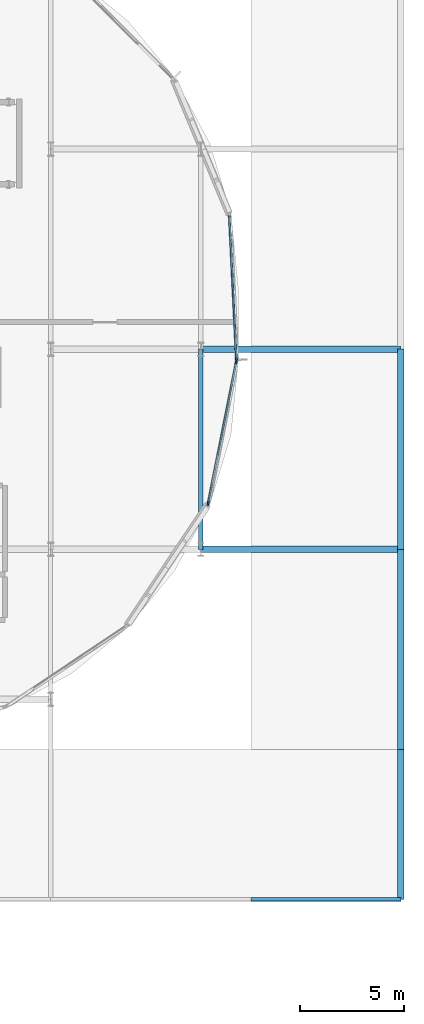
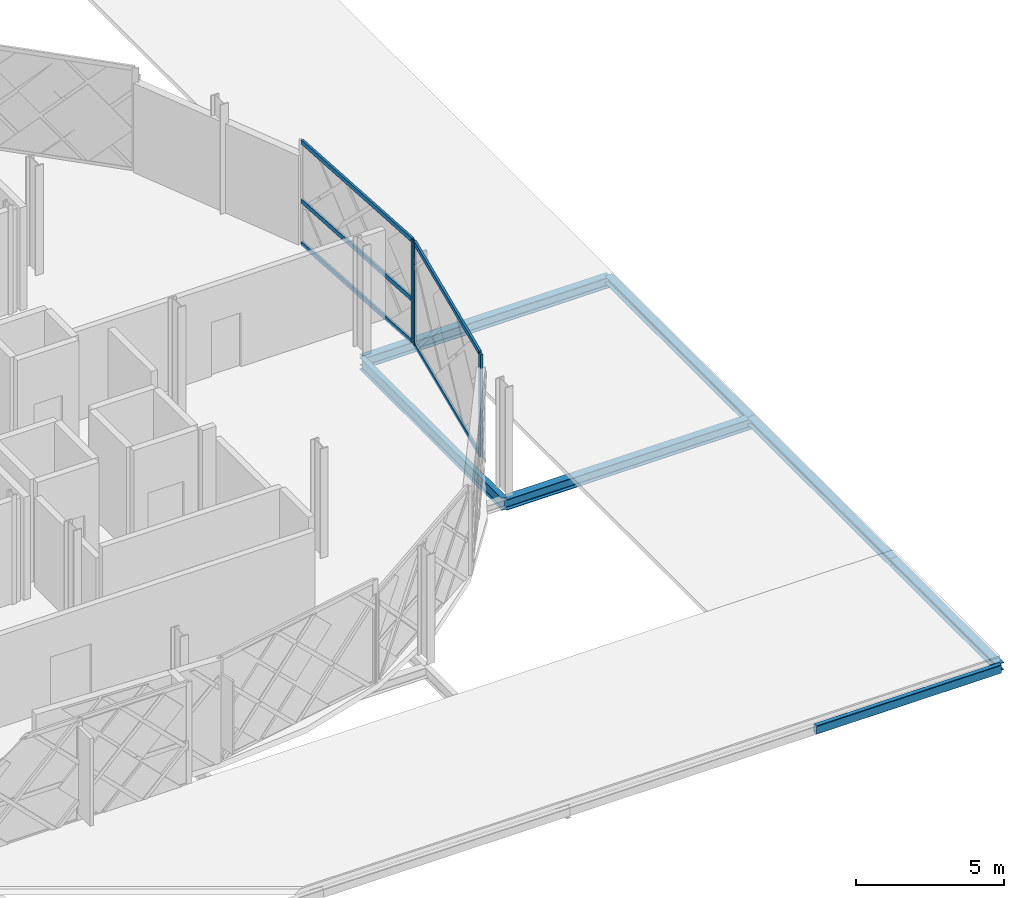
# One storey, part 52 of 101: 8 members, 7 beams, 2 elements without a shape of their own.
"""IFC4 building model written with IfcOpenShell, lengths in metres."""

from ifc_helpers import new_model, si_unit, direction, frame, origin, origin_2d, place, context, subcontext, project, spatial, rectangle, hollow_rectangle, i_section, extrude, material, layer, layer_set, material_profile, profile_set, type_object, element, aggregate, save


model = new_model("IFC4")

# Units and contexts
model_context = context("Model", 3, precision=1e-05, world=origin(), true_north=direction((0.0, 1.0)))
body_context = subcontext(model_context, "Body", "Model", "MODEL_VIEW")
ifc_project = project(units=[si_unit("LENGTHUNIT", "METRE"), si_unit("AREAUNIT", "SQUARE_METRE"), si_unit("VOLUMEUNIT", "CUBIC_METRE"), si_unit("PLANEANGLEUNIT", "RADIAN"), si_unit("MASSUNIT", "GRAM", prefix="KILO")], contexts=[model_context])

# Site, building, storey
site_placement = place(None, origin())
site = spatial("IfcSite", under=ifc_project, at=site_placement, CompositionType="ELEMENT")
building_placement = place(site_placement, origin())
building = spatial("IfcBuilding", under=site, at=building_placement, Name="Zevrakil Square Congress Hotel", CompositionType="ELEMENT")
storey_placement = place(building_placement, frame((0.0, 0.0, 5.39990234375)))
storey = spatial("IfcBuildingStorey", under=building, at=storey_placement, Name="L02", CompositionType="ELEMENT", Elevation=5.39990234375)

# Beams
ifc_material_1 = material(Name="Steel S355", Category="steel")
ifc_material_profile_1 = material_profile(ifc_material_1, i_section(OverallWidth=0.300048828125, OverallDepth=0.43994140625, WebThickness=0.011474609375, FlangeThickness=0.02099609375, FilletRadius=0.027099609375, at=origin_2d()), Name="HEA 450")
ifc_profile_set_1 = profile_set([ifc_material_profile_1], Name="Steel S355")
beam_type_1 = type_object("IfcBeamType", Name="BM-HEA450", PredefinedType="BEAM", material=ifc_profile_set_1)
for number, where, z_axis, x_axis, name in (
    (1, (163.199951171875, 16.800048828125, -0.47998046875), (1.0, 0.0, 0.0), (0.0, 1.0, 0.0), "L02 primary girder BX-0706"),
    (2, (163.199951171875, 26.39990234375, -0.47998046875), (1.0, 0.0, 0.0), (0.0, 1.0, 0.0), "L02 primary girder BX-0717"),
):
    element("IfcBeam", number, at=place(storey_placement, frame(where, z_axis=z_axis, x_axis=x_axis)), inside=storey, type_object=beam_type_1, Name=name, PredefinedType="BEAM", context=body_context, shape_type="SweptSolid", body=[
        extrude(i_section(OverallWidth=0.300048828125, OverallDepth=0.43994140625, WebThickness=0.011474609375, FlangeThickness=0.02099609375, FilletRadius=0.027099609375, at=origin_2d()), origin(), (0.0, 0.0, 1.0), 9.60009765625),
    ])
ifc_material_2 = material(Name="Steel S355", Category="steel")
ifc_material_profile_2 = material_profile(ifc_material_2, i_section(OverallWidth=0.199951171875, OverallDepth=0.5, WebThickness=0.01025390625, FlangeThickness=0.01611328125, FilletRadius=0.02099609375, at=origin_2d()), Name="IPE 500")
ifc_profile_set_2 = profile_set([ifc_material_profile_2], Name="Steel S355")
beam_type_2 = type_object("IfcBeamType", Name="BM-IPE500", PredefinedType="BEAM", material=ifc_profile_set_2)
beam_1_placement = place(storey_placement, frame((163.199951171875, 16.800048828125, -0.510009765625), z_axis=(0.0, 1.0, 0.0), x_axis=(-1.0, 0.0, 0.0)))
element("IfcBeam", 3, at=beam_1_placement, inside=storey, type_object=beam_type_2, Name="L02 primary girder BY-0949", PredefinedType="BEAM", context=body_context, shape_type="SweptSolid", body=[
    extrude(i_section(OverallWidth=0.199951171875, OverallDepth=0.5, WebThickness=0.01025390625, FlangeThickness=0.01611328125, FilletRadius=0.02099609375, at=origin_2d()), origin(), (0.0, 0.0, 1.0), 9.599853515625),
])

# Curtain wall, members
ifc_material_3 = material(Name="Aluminium Anodised Bronze", Category="aluminium")
ifc_layer = layer(ifc_material_3, 0.179931640625)
ifc_layer_set = layer_set([ifc_layer], Name="Aluminium Anodised Bronze")
curtain_wall_type = type_object("IfcCurtainWallType", Name="CW-L02-720", PredefinedType="USERDEFINED", material=ifc_layer_set)
curtain_wall_1_placement = place(storey_placement, origin())
curtain_wall_1 = element("IfcCurtainWall", 4, at=curtain_wall_1_placement, inside=storey, type_object=curtain_wall_type, Name="L02 diamond curtain wall CW-L02-0155", ObjectType="GLAZED CURTAIN WALL", PredefinedType="USERDEFINED")
ifc_material_4 = material(Name="Aluminium Anodised Bronze", Category="aluminium")
ifc_material_profile_3 = material_profile(ifc_material_4, rectangle(XDim=0.0849609375, YDim=0.179931640625, at=origin_2d()), Name="ALU 85x180")
ifc_profile_set_3 = profile_set([ifc_material_profile_3], Name="Aluminium Anodised Bronze")
member_type_1 = type_object("IfcMemberType", Name="CWM-ALU85x180", PredefinedType="USERDEFINED", material=ifc_profile_set_3)
member_1_placement = place(storey_placement, frame((163.554931640625, 19.03271484375, 0.030029296875), z_axis=(0.195079615704, 0.98078740996, 0.0), x_axis=(-0.98078740996, 0.195079615704, 0.0)))
member_1 = element("IfcMember", 5, at=member_1_placement, type_object=member_type_1, Name="CW-22 transom 1.1", ObjectType="TRANSOM", PredefinedType="USERDEFINED", context=body_context, shape_type="SweptSolid", body=[
    extrude(rectangle(XDim=0.0849609375, YDim=0.179931640625, at=origin_2d()), origin(), (0.0, 0.0, 1.0), 6.8857421875),
])
member_2_placement = place(storey_placement, frame((163.554931640625, 19.03271484375, 4.210205078125), z_axis=(0.195079615704, 0.98078740996, 0.0), x_axis=(-0.98078740996, 0.195079615704, 0.0)))
member_2 = element("IfcMember", 6, at=member_2_placement, type_object=member_type_1, Name="CW-22 transom 1.2", ObjectType="TRANSOM", PredefinedType="USERDEFINED", context=body_context, shape_type="SweptSolid", body=[
    extrude(rectangle(XDim=0.0849609375, YDim=0.179931640625, at=origin_2d()), origin(), (0.0, 0.0, 1.0), 6.8857421875),
])

curtain_wall_2_placement = place(storey_placement, origin())
curtain_wall_2 = element("IfcCurtainWall", 7, at=curtain_wall_2_placement, inside=storey, type_object=curtain_wall_type, Name="L02 diamond curtain wall CW-L02-0156", ObjectType="GLAZED CURTAIN WALL", PredefinedType="USERDEFINED")
member_3_placement = place(storey_placement, frame((164.906982421875, 25.905029296875, 0.030029296875), z_axis=(-0.049138315617, 0.998791983317, 0.0), x_axis=(-0.998791983317, -0.049138315617, 0.0)))
member_3 = element("IfcMember", 8, at=member_3_placement, type_object=member_type_1, Name="CW-22 transom 1.1", ObjectType="TRANSOM", PredefinedType="USERDEFINED", context=body_context, shape_type="SweptSolid", body=[
    extrude(rectangle(XDim=0.0849609375, YDim=0.179931640625, at=origin_2d()), origin(), (0.0, 0.0, 1.0), 6.901123046875),
])
member_4_placement = place(storey_placement, frame((164.906982421875, 25.905029296875, 1.781005859375), z_axis=(-0.049138315617, 0.998791983317, 0.0), x_axis=(-0.998791983317, -0.049138315617, 0.0)))
member_4 = element("IfcMember", 9, at=member_4_placement, type_object=member_type_1, Name="CW-22 transom 1.2", ObjectType="TRANSOM", PredefinedType="USERDEFINED", context=body_context, shape_type="SweptSolid", body=[
    extrude(rectangle(XDim=0.0849609375, YDim=0.179931640625, at=origin_2d()), origin(), (0.0, 0.0, 1.0), 6.901123046875),
])
member_5_placement = place(storey_placement, frame((164.906982421875, 25.905029296875, 4.210205078125), z_axis=(-0.049138315617, 0.998791983317, 0.0), x_axis=(-0.998791983317, -0.049138315617, 0.0)))
member_5 = element("IfcMember", 10, at=member_5_placement, type_object=member_type_1, Name="CW-22 transom 1.3", ObjectType="TRANSOM", PredefinedType="USERDEFINED", context=body_context, shape_type="SweptSolid", body=[
    extrude(rectangle(XDim=0.0849609375, YDim=0.179931640625, at=origin_2d()), origin(), (0.0, 0.0, 1.0), 6.901123046875),
])

# Member
ifc_material_5 = material(Name="Aluminium Anodised Bronze", Category="aluminium")
ifc_material_profile_4 = material_profile(ifc_material_5, rectangle(XDim=0.0849609375, YDim=0.219970703125, at=origin_2d()), Name="ALU 85x220")
ifc_profile_set_4 = profile_set([ifc_material_profile_4], Name="Aluminium Anodised Bronze")
member_type_2 = type_object("IfcMemberType", Name="CWM-ALU85x220", PredefinedType="MULLION", material=ifc_profile_set_4)
member_6_placement = place(storey_placement, frame((163.549072265625, 19.00341796875, 0.0), z_axis=(0.0, 0.0, 1.0), x_axis=(-0.980786557708, 0.195083900459, 0.0)))
member_6 = element("IfcMember", 11, at=member_6_placement, type_object=member_type_2, Name="CW-22 mullion 1", PredefinedType="MULLION", context=body_context, shape_type="SweptSolid", body=[
    extrude(rectangle(XDim=0.0849609375, YDim=0.219970703125, at=origin_2d()), origin(), (0.0, 0.0, 1.0), 4.239990234375),
])

member_7_placement = place(storey_placement, frame((164.904052734375, 25.815673828125, 0.0), z_axis=(0.0, 0.0, 1.0), x_axis=(-0.980786557708, 0.195083900459, 0.0)))
member_7 = element("IfcMember", 12, at=member_7_placement, type_object=member_type_2, Name="CW-22 mullion 2", PredefinedType="MULLION", context=body_context, shape_type="SweptSolid", body=[
    extrude(rectangle(XDim=0.0849609375, YDim=0.219970703125, at=origin_2d()), origin(), (0.0, 0.0, 1.0), 4.239990234375),
])

aggregate(curtain_wall_1, [member_6, member_7, member_1, member_2])

member_8_placement = place(storey_placement, frame((164.908447265625, 25.875, 0.0), z_axis=(0.0, 0.0, 1.0), x_axis=(-0.998792080913, -0.049136331831, 0.0)))
member_8 = element("IfcMember", 13, at=member_8_placement, type_object=member_type_2, Name="CW-22 mullion 1", PredefinedType="MULLION", context=body_context, shape_type="SweptSolid", body=[
    extrude(rectangle(XDim=0.0849609375, YDim=0.219970703125, at=origin_2d()), origin(), (0.0, 0.0, 1.0), 4.239990234375),
])

aggregate(curtain_wall_2, [member_8, member_3, member_4, member_5])

# Beams
ifc_material_6 = material(Name="Steel S355", Category="steel")
ifc_material_profile_5 = material_profile(ifc_material_6, i_section(OverallWidth=0.300048828125, OverallDepth=0.300048828125, WebThickness=0.010986328125, FlangeThickness=0.01904296875, FilletRadius=0.027099609375, at=origin_2d()), Name="HEB 300")
ifc_profile_set_5 = profile_set([ifc_material_profile_5], Name="Steel S355")
beam_type_3 = type_object("IfcBeamType", Name="SPD-RHS250", PredefinedType="SPANDREL", material=ifc_profile_set_5)
beam_2_placement = place(storey_placement, frame((172.800048828125, 0.0, -0.409912109375), z_axis=(0.0, 1.0, 0.0), x_axis=(-1.0, 0.0, 0.0)))
element("IfcBeam", 14, at=beam_2_placement, inside=storey, type_object=beam_type_3, Name="L02 primary girder BY-0956", PredefinedType="SPANDREL", context=body_context, shape_type="SweptSolid", body=[
    extrude(i_section(OverallWidth=0.300048828125, OverallDepth=0.300048828125, WebThickness=0.010986328125, FlangeThickness=0.01904296875, FilletRadius=0.027099609375, at=origin_2d()), origin(), (0.0, 0.0, 1.0), 7.199951171875),
])
beam_3_placement = place(storey_placement, frame((172.800048828125, 7.199951171875, -0.409912109375), z_axis=(0.0, 1.0, 0.0), x_axis=(-1.0, 0.0, 0.0)))
element("IfcBeam", 15, at=beam_3_placement, inside=storey, type_object=beam_type_3, Name="L02 primary girder BY-0957", PredefinedType="SPANDREL", context=body_context, shape_type="SweptSolid", body=[
    extrude(i_section(OverallWidth=0.300048828125, OverallDepth=0.300048828125, WebThickness=0.010986328125, FlangeThickness=0.01904296875, FilletRadius=0.027099609375, at=origin_2d()), origin(), (0.0, 0.0, 1.0), 9.60009765625),
])
beam_4_placement = place(storey_placement, frame((172.800048828125, 16.800048828125, -0.409912109375), z_axis=(0.0, 1.0, 0.0), x_axis=(-1.0, 0.0, 0.0)))
element("IfcBeam", 16, at=beam_4_placement, inside=storey, type_object=beam_type_3, Name="L02 primary girder BY-0958", PredefinedType="SPANDREL", context=body_context, shape_type="SweptSolid", body=[
    extrude(i_section(OverallWidth=0.300048828125, OverallDepth=0.300048828125, WebThickness=0.010986328125, FlangeThickness=0.01904296875, FilletRadius=0.027099609375, at=origin_2d()), origin(), (0.0, 0.0, 1.0), 9.599853515625),
])
ifc_material_7 = material(Name="Steel S355", Category="steel")
ifc_material_profile_6 = material_profile(ifc_material_7, hollow_rectangle(XDim=0.199951171875, YDim=0.35009765625, WallThickness=0.01611328125, InnerFilletRadius=0.01611328125, OuterFilletRadius=0.031982421875, at=origin_2d()), Name="RHS 350x200x16")
ifc_profile_set_6 = profile_set([ifc_material_profile_6], Name="Steel S355")
beam_type_4 = type_object("IfcBeamType", Name="SPD-RHS350", PredefinedType="SPANDREL", material=ifc_profile_set_6)
beam_5_placement = place(storey_placement, frame((165.60009765625, 0.0, -0.434814453125), z_axis=(1.0, 0.0, 0.0), x_axis=(0.0, 1.0, 0.0)))
element("IfcBeam", 17, at=beam_5_placement, inside=storey, type_object=beam_type_4, Name="L02 primary girder BX-0675", PredefinedType="SPANDREL", context=body_context, shape_type="SweptSolid", body=[
    extrude(hollow_rectangle(XDim=0.199951171875, YDim=0.35009765625, WallThickness=0.01611328125, InnerFilletRadius=0.01611328125, OuterFilletRadius=0.031982421875, at=origin_2d()), origin(), (0.0, 0.0, 1.0), 7.199951171875),
])

save(model, "model.ifc")
